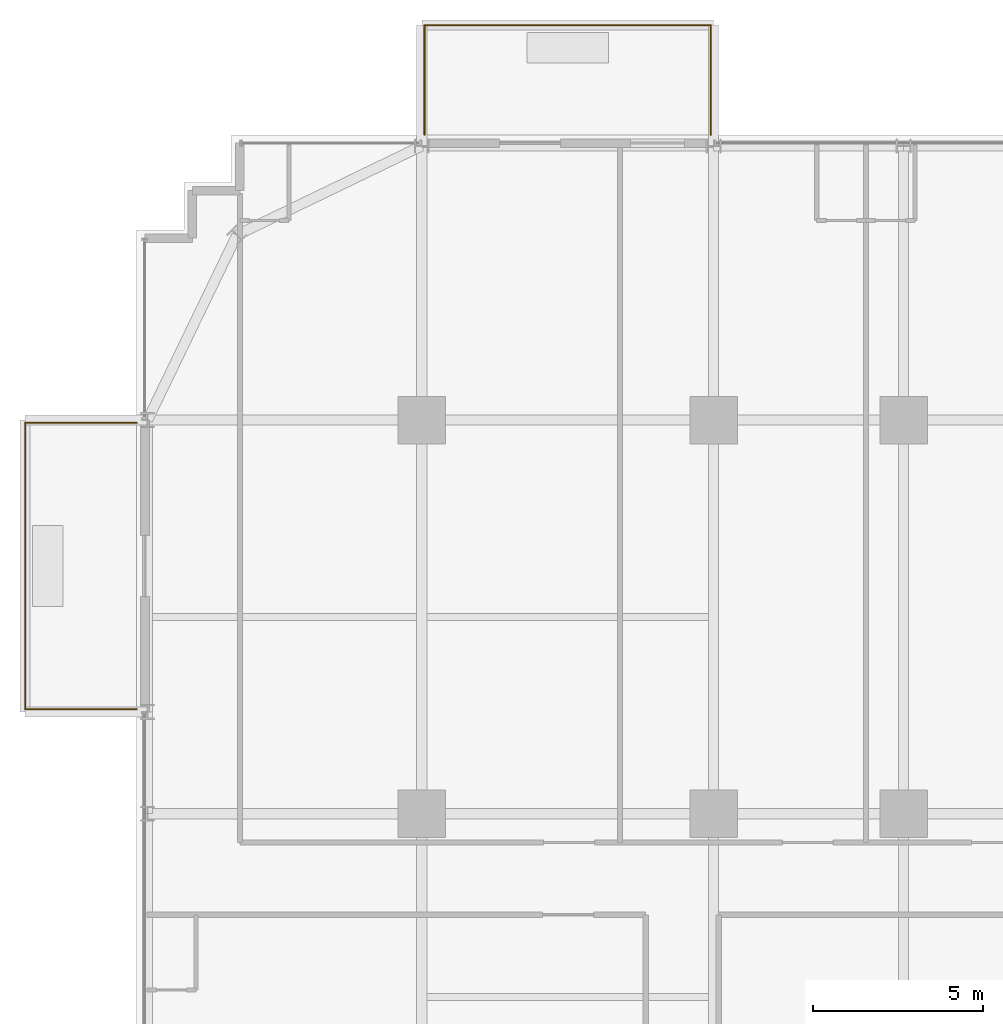
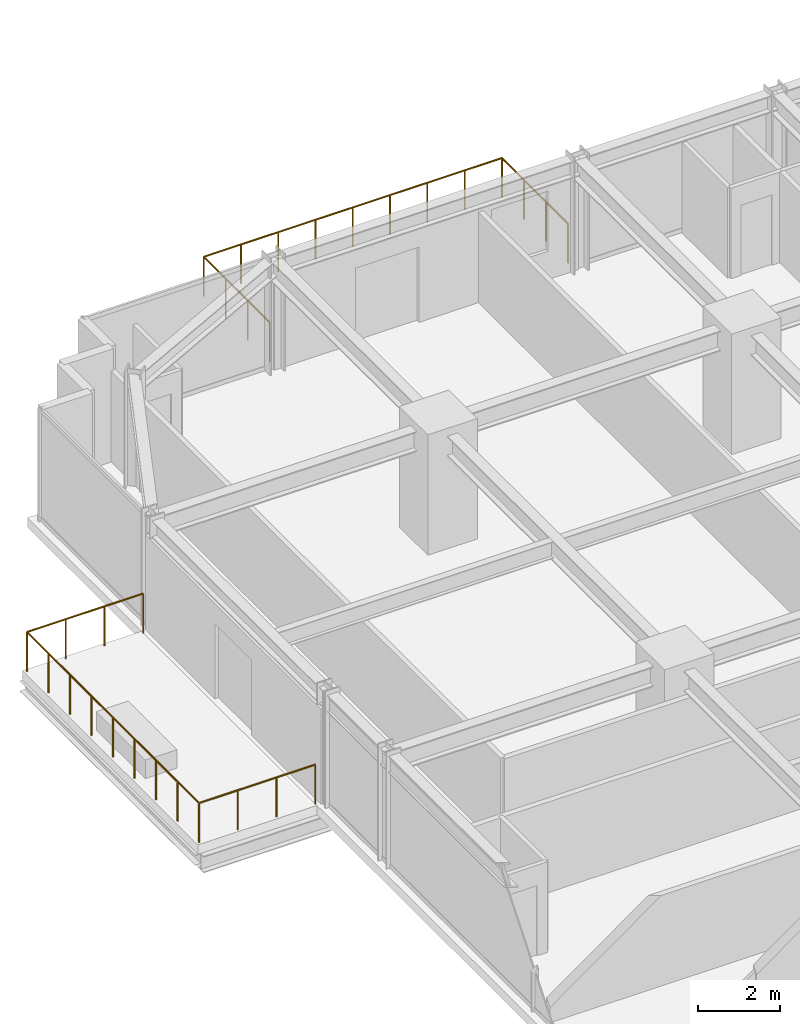
# One storey, part 34 of 36: 2 railings.
"""IFC4 building model written with IfcOpenShell, lengths in metres."""

from ifc_helpers import new_model, si_unit, direction, frame, origin, origin_2d, place, context, subcontext, project, spatial, circle, extrude, material, type_object, element, save


model = new_model("IFC4")

# Units and contexts
model_context = context("Model", 3, precision=1e-05, world=origin(), true_north=direction((0.0, 1.0)))
body_context = subcontext(model_context, "Body", "Model", "MODEL_VIEW")
ifc_project = project(units=[si_unit("LENGTHUNIT", "METRE"), si_unit("AREAUNIT", "SQUARE_METRE"), si_unit("VOLUMEUNIT", "CUBIC_METRE"), si_unit("PLANEANGLEUNIT", "RADIAN"), si_unit("MASSUNIT", "GRAM", prefix="KILO")], contexts=[model_context])

# Site, building, storey
site_placement = place(None, origin())
site = spatial("IfcSite", under=ifc_project, at=site_placement, CompositionType="ELEMENT")
building_placement = place(site_placement, origin())
building = spatial("IfcBuilding", under=site, at=building_placement, Name="Nahalor Promenade Grand Hotel", CompositionType="ELEMENT")
storey_placement = place(building_placement, frame((0.0, 0.0, 76.199951171875)))
storey = spatial("IfcBuildingStorey", under=building, at=storey_placement, Name="L18", CompositionType="ELEMENT", Elevation=76.199951171875)

# Railings
ifc_material = material(Name="Anodised Bronze Aluminium EN AW-6063 T6", Category="aluminium")
railing_type = type_object("IfcRailingType", Name="Bronze Balcony Guardrail 1200 mm", PredefinedType="GUARDRAIL", material=ifc_material)
railing_1_placement = place(storey_placement, frame((-16.919921875, 25.39990234375, 0.0)))
element("IfcRailing", 1, at=railing_1_placement, inside=storey, type_object=railing_type, Name="L18 Balcony Guardrail 1", PredefinedType="GUARDRAIL", context=body_context, shape_type="SweptSolid", body=[
    extrude(circle(Radius=0.024048, at=origin_2d()), frame((0.0, 0.0, 1.17578125), z_axis=(0.0, 1.0, 0.0), x_axis=(-1.0, 0.0, 0.0)), (0.0, 0.0, 1.0), 3.238037109375),
    extrude(circle(Radius=0.024048, at=origin_2d()), frame((0.001953125, 3.239990234375, 1.17578125), z_axis=(1.0, 0.0, 0.0), x_axis=(0.0, 1.0, 0.0)), (0.0, 0.0, 1.0), 8.43603515625),
    extrude(circle(Radius=0.024048, at=origin_2d()), frame((8.43994140625, 3.238037109375, 1.17578125), z_axis=(0.0, -1.0, 0.0), x_axis=(1.0, 0.0, 0.0)), (0.0, 0.0, 1.0), 3.238037109375),
    extrude(circle(Radius=0.020996, at=origin_2d()), origin(), (0.0, 0.0, 1.0), 1.14990234375),
    extrude(circle(Radius=0.020996, at=origin_2d()), frame((0.0, 1.080078125, 0.0)), (0.0, 0.0, 1.0), 1.14990234375),
    extrude(circle(Radius=0.020996, at=origin_2d()), frame((0.0, 2.159912109375, 0.0)), (0.0, 0.0, 1.0), 1.14990234375),
    extrude(circle(Radius=0.020996, at=origin_2d()), frame((0.0, 3.239990234375, 0.0)), (0.0, 0.0, 1.0), 1.14990234375),
    extrude(circle(Radius=0.020996, at=origin_2d()), frame((1.054931640625, 3.239990234375, 0.0)), (0.0, 0.0, 1.0), 1.14990234375),
    extrude(circle(Radius=0.020996, at=origin_2d()), frame((2.10986328125, 3.239990234375, 0.0)), (0.0, 0.0, 1.0), 1.14990234375),
    extrude(circle(Radius=0.020996, at=origin_2d()), frame((3.1650390625, 3.239990234375, 0.0)), (0.0, 0.0, 1.0), 1.14990234375),
    extrude(circle(Radius=0.020996, at=origin_2d()), frame((4.219970703125, 3.239990234375, 0.0)), (0.0, 0.0, 1.0), 1.14990234375),
    extrude(circle(Radius=0.020996, at=origin_2d()), frame((5.27490234375, 3.239990234375, 0.0)), (0.0, 0.0, 1.0), 1.14990234375),
    extrude(circle(Radius=0.020996, at=origin_2d()), frame((6.330078125, 3.239990234375, 0.0)), (0.0, 0.0, 1.0), 1.14990234375),
    extrude(circle(Radius=0.020996, at=origin_2d()), frame((7.385009765625, 3.239990234375, 0.0)), (0.0, 0.0, 1.0), 1.14990234375),
    extrude(circle(Radius=0.020996, at=origin_2d()), frame((8.43994140625, 3.239990234375, 0.0)), (0.0, 0.0, 1.0), 1.14990234375),
    extrude(circle(Radius=0.020996, at=origin_2d()), frame((8.43994140625, 2.159912109375, 0.0)), (0.0, 0.0, 1.0), 1.14990234375),
    extrude(circle(Radius=0.020996, at=origin_2d()), frame((8.43994140625, 1.080078125, 0.0)), (0.0, 0.0, 1.0), 1.14990234375),
    extrude(circle(Radius=0.020996, at=origin_2d()), frame((8.43994140625, 0.0, 0.0)), (0.0, 0.0, 1.0), 1.14990234375),
])
railing_2_placement = place(storey_placement, frame((-25.39990234375, 8.47998046875, 0.0)))
element("IfcRailing", 2, at=railing_2_placement, inside=storey, type_object=railing_type, Name="L18 Balcony Guardrail 2", PredefinedType="GUARDRAIL", context=body_context, shape_type="SweptSolid", body=[
    extrude(circle(Radius=0.024048, at=origin_2d()), frame((0.0, 0.0, 1.17578125), z_axis=(-1.0, 0.0, 0.0), x_axis=(0.0, -1.0, 0.0)), (0.0, 0.0, 1.0), 3.2880859375),
    extrude(circle(Radius=0.024048, at=origin_2d()), frame((-3.2900390625, 0.001953125, 1.17578125), z_axis=(0.0, 1.0, 0.0), x_axis=(-1.0, 0.0, 0.0)), (0.0, 0.0, 1.0), 8.43603515625),
    extrude(circle(Radius=0.024048, at=origin_2d()), frame((-3.2880859375, 8.43994140625, 1.17578125), z_axis=(1.0, 0.0, 0.0), x_axis=(0.0, 1.0, 0.0)), (0.0, 0.0, 1.0), 3.2880859375),
    extrude(circle(Radius=0.020996, at=origin_2d()), origin(), (0.0, 0.0, 1.0), 1.14990234375),
    extrude(circle(Radius=0.020996, at=origin_2d()), frame((-1.0966796875, 0.0, 0.0)), (0.0, 0.0, 1.0), 1.14990234375),
    extrude(circle(Radius=0.020996, at=origin_2d()), frame((-2.193359375, 0.0, 0.0)), (0.0, 0.0, 1.0), 1.14990234375),
    extrude(circle(Radius=0.020996, at=origin_2d()), frame((-3.2900390625, 0.0, 0.0)), (0.0, 0.0, 1.0), 1.14990234375),
    extrude(circle(Radius=0.020996, at=origin_2d()), frame((-3.2900390625, 1.054931640625, 0.0)), (0.0, 0.0, 1.0), 1.14990234375),
    extrude(circle(Radius=0.020996, at=origin_2d()), frame((-3.2900390625, 2.10986328125, 0.0)), (0.0, 0.0, 1.0), 1.14990234375),
    extrude(circle(Radius=0.020996, at=origin_2d()), frame((-3.2900390625, 3.1650390625, 0.0)), (0.0, 0.0, 1.0), 1.14990234375),
    extrude(circle(Radius=0.020996, at=origin_2d()), frame((-3.2900390625, 4.219970703125, 0.0)), (0.0, 0.0, 1.0), 1.14990234375),
    extrude(circle(Radius=0.020996, at=origin_2d()), frame((-3.2900390625, 5.27490234375, 0.0)), (0.0, 0.0, 1.0), 1.14990234375),
    extrude(circle(Radius=0.020996, at=origin_2d()), frame((-3.2900390625, 6.330078125, 0.0)), (0.0, 0.0, 1.0), 1.14990234375),
    extrude(circle(Radius=0.020996, at=origin_2d()), frame((-3.2900390625, 7.385009765625, 0.0)), (0.0, 0.0, 1.0), 1.14990234375),
    extrude(circle(Radius=0.020996, at=origin_2d()), frame((-3.2900390625, 8.43994140625, 0.0)), (0.0, 0.0, 1.0), 1.14990234375),
    extrude(circle(Radius=0.020996, at=origin_2d()), frame((-2.193359375, 8.43994140625, 0.0)), (0.0, 0.0, 1.0), 1.14990234375),
    extrude(circle(Radius=0.020996, at=origin_2d()), frame((-1.0966796875, 8.43994140625, 0.0)), (0.0, 0.0, 1.0), 1.14990234375),
    extrude(circle(Radius=0.020996, at=origin_2d()), frame((0.0, 8.43994140625, 0.0)), (0.0, 0.0, 1.0), 1.14990234375),
])

save(model, "model.ifc")
